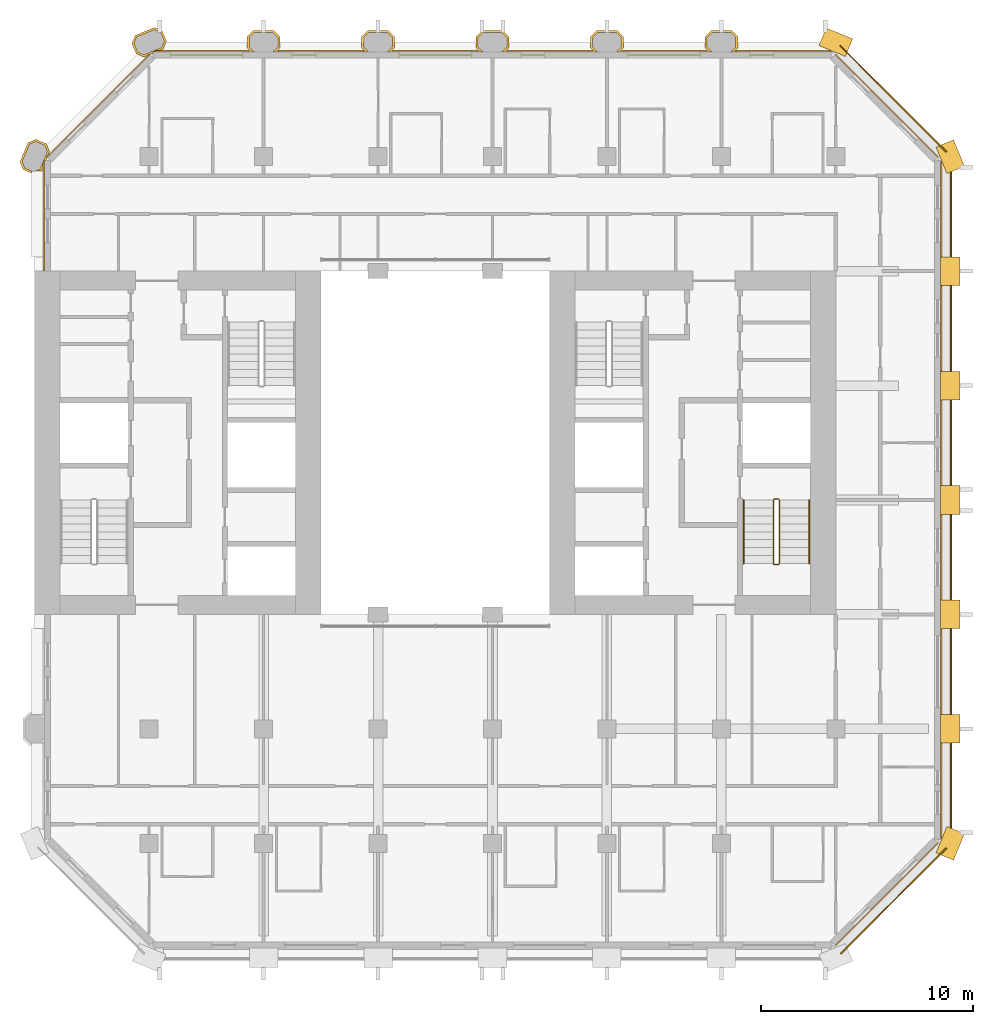
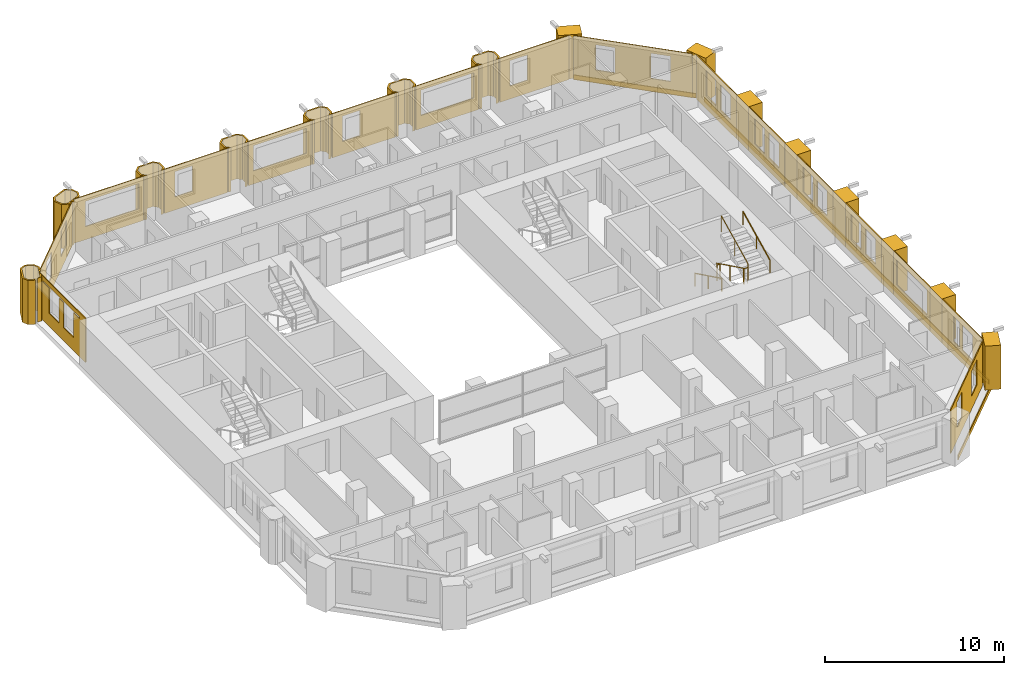
# One storey, part 13 of 13: 34 coverings, 3 railings.
"""IFC4 building model written with IfcOpenShell, lengths in metres."""

from ifc_helpers import new_model, si_unit, direction, frame, frame_2d, origin, origin_2d, place, context, subcontext, project, spatial, polyline, rectangle, circle, outline, extrude, material, layer, layer_set, type_object, element, save


model = new_model("IFC4")

# Units and contexts
model_context = context("Model", 3, precision=1e-05, world=origin(), true_north=direction((0.0, 1.0)))
body_context = subcontext(model_context, "Body", "Model", "MODEL_VIEW")
ifc_project = project(units=[si_unit("LENGTHUNIT", "METRE"), si_unit("AREAUNIT", "SQUARE_METRE"), si_unit("VOLUMEUNIT", "CUBIC_METRE"), si_unit("PLANEANGLEUNIT", "RADIAN"), si_unit("MASSUNIT", "GRAM", prefix="KILO")], contexts=[model_context])

# Site, building, storey
site_placement = place(None, origin())
site = spatial("IfcSite", under=ifc_project, at=site_placement, CompositionType="ELEMENT")
building_placement = place(site_placement, origin())
building = spatial("IfcBuilding", under=site, at=building_placement, Name="Tabaq Tower and Sports Hall", CompositionType="ELEMENT")
storey_placement = place(building_placement, frame((0.0, 0.0, 162.699951171875)))
storey = spatial("IfcBuildingStorey", under=building, at=storey_placement, Name="L38", CompositionType="ELEMENT", Elevation=162.699951171875)

# Coverings
ifc_material_1 = material(Name="Precast concrete C60/75", Category="concrete")
ifc_layer_1 = layer(ifc_material_1, 0.10009765625)
ifc_layer_set_1 = layer_set([ifc_layer_1], Name="Column cladding 100")
covering_type_1 = type_object("IfcCoveringType", Name="Column cladding 100", PredefinedType="CLADDING", material=ifc_layer_set_1)
covering_1_placement = place(storey_placement, origin())
element("IfcCovering", 1, at=covering_1_placement, inside=storey, type_object=covering_type_1, Name="Column cladding L38 PC-2H-H1", PredefinedType="CLADDING", context=body_context, shape_type="SweptSolid", body=[
    extrude(outline(polyline([(4.857421875, 37.186279296875), (4.7041015625, 37.556396484375), (5.080078125, 38.46435546875), (5.450439453125, 38.61767578125), (5.9423828125, 38.413818359375), (6.095947265625, 38.04345703125), (6.026123046875, 37.875), (5.9501953125, 37.799072265625), (5.9814453125, 37.767578125), (5.91796875, 37.614013671875), (5.849609375, 37.614013671875), (5.849609375, 37.55712890625), (5.789794921875, 37.55712890625), (5.789794921875, 37.304443359375), (5.7197265625, 37.1357421875), (5.694580078125, 37.125244140625), (5.434814453125, 37.125244140625), (5.643798828125, 37.2119140625), (5.98828125, 38.04345703125), (5.866455078125, 38.337646484375), (5.450439453125, 38.510009765625), (5.15625, 38.38818359375), (4.811767578125, 37.556396484375), (4.93359375, 37.26220703125), (5.26416015625, 37.125244140625), (5.249755859375, 37.125244140625), (5.249755859375, 37.023681640625), (4.857421875, 37.186279296875)])), origin(), (0.0, 0.0, 1.0), 3.0),
])
covering_2_placement = place(storey_placement, origin())
element("IfcCovering", 2, at=covering_2_placement, inside=storey, type_object=covering_type_1, Name="Column cladding L38 PC-3I-H1", PredefinedType="CLADDING", context=body_context, shape_type="SweptSolid", body=[
    extrude(outline(polyline([(9.982421875, 43.149658203125), (10.1357421875, 43.519775390625), (11.04345703125, 43.895751953125), (11.413818359375, 43.742431640625), (11.61767578125, 43.25048828125), (11.46435546875, 42.880126953125), (11.295654296875, 42.810302734375), (11.04296875, 42.810302734375), (11.04296875, 42.750244140625), (10.986083984375, 42.750244140625), (10.986083984375, 42.68212890625), (10.83251953125, 42.618408203125), (10.801025390625, 42.64990234375), (10.72509765625, 42.573974609375), (10.556396484375, 42.504150390625), (10.186279296875, 42.657470703125), (9.982421875, 43.149658203125)]), holes=[polyline([(11.510009765625, 43.25048828125), (11.337646484375, 43.66650390625), (11.04345703125, 43.788330078125), (10.2119140625, 43.44384765625), (10.08984375, 43.149658203125), (10.26220703125, 42.733642578125), (10.556396484375, 42.61181640625), (11.38818359375, 42.956298828125), (11.510009765625, 43.25048828125)])]), origin(), (0.0, 0.0, 1.0), 3.0),
])
covering_3_placement = place(storey_placement, origin())
element("IfcCovering", 3, at=covering_3_placement, inside=storey, type_object=covering_type_1, Name="Column cladding L38 PC-4I-H1", PredefinedType="CLADDING", context=body_context, shape_type="SweptSolid", body=[
    extrude(outline(polyline([(15.42529296875, 43.46630859375), (15.708740234375, 43.749755859375), (16.69140625, 43.749755859375), (16.974609375, 43.46630859375), (16.974609375, 42.93359375), (16.791259765625, 42.750244140625), (16.650634765625, 42.750244140625), (16.875244140625, 42.974853515625), (16.875244140625, 43.425048828125), (16.650146484375, 43.650390625), (15.749755859375, 43.650390625), (15.524658203125, 43.425048828125), (15.524658203125, 42.974853515625), (15.749267578125, 42.750244140625), (15.608642578125, 42.750244140625), (15.42529296875, 42.93359375), (15.42529296875, 43.46630859375)])), origin(), (0.0, 0.0, 1.0), 3.0),
])
covering_4_placement = place(storey_placement, origin())
element("IfcCovering", 4, at=covering_4_placement, inside=storey, type_object=covering_type_1, Name="Column cladding L38 PC-5I-H1", PredefinedType="CLADDING", context=body_context, shape_type="SweptSolid", body=[
    extrude(outline(polyline([(20.8251953125, 43.46630859375), (21.108642578125, 43.749755859375), (22.09130859375, 43.749755859375), (22.374755859375, 43.46630859375), (22.374755859375, 42.93359375), (22.19140625, 42.750244140625), (22.05078125, 42.750244140625), (22.275390625, 42.974853515625), (22.275390625, 43.425048828125), (22.050048828125, 43.650390625), (21.14990234375, 43.650390625), (20.9248046875, 43.425048828125), (20.9248046875, 42.974853515625), (21.149169921875, 42.750244140625), (21.0087890625, 42.750244140625), (20.8251953125, 42.93359375), (20.8251953125, 43.46630859375)])), origin(), (0.0, 0.0, 1.0), 3.0),
])
covering_5_placement = place(storey_placement, origin())
element("IfcCovering", 5, at=covering_5_placement, inside=storey, type_object=covering_type_1, Name="Column cladding L38 PC-6I-H1", PredefinedType="CLADDING", context=body_context, shape_type="SweptSolid", body=[
    extrude(outline(polyline([(26.225341796875, 43.46630859375), (26.5087890625, 43.749755859375), (27.4912109375, 43.749755859375), (27.774658203125, 43.46630859375), (27.774658203125, 42.93359375), (27.59130859375, 42.750244140625), (27.45068359375, 42.750244140625), (27.67529296875, 42.974853515625), (27.67529296875, 43.425048828125), (27.4501953125, 43.650390625), (26.5498046875, 43.650390625), (26.32470703125, 43.425048828125), (26.32470703125, 42.974853515625), (26.54931640625, 42.750244140625), (26.40869140625, 42.750244140625), (26.225341796875, 42.93359375), (26.225341796875, 43.46630859375)])), origin(), (0.0, 0.0, 1.0), 3.0),
])
covering_6_placement = place(storey_placement, origin())
element("IfcCovering", 6, at=covering_6_placement, inside=storey, type_object=covering_type_1, Name="Column cladding L38 PC-7I-H1", PredefinedType="CLADDING", context=body_context, shape_type="SweptSolid", body=[
    extrude(outline(polyline([(31.625244140625, 43.46630859375), (31.90869140625, 43.749755859375), (32.891357421875, 43.749755859375), (33.1748046875, 43.46630859375), (33.1748046875, 42.93359375), (32.9912109375, 42.750244140625), (32.850830078125, 42.750244140625), (33.0751953125, 42.974853515625), (33.0751953125, 43.425048828125), (32.85009765625, 43.650390625), (31.949951171875, 43.650390625), (31.724609375, 43.425048828125), (31.724609375, 42.974853515625), (31.94921875, 42.750244140625), (31.80859375, 42.750244140625), (31.625244140625, 42.93359375), (31.625244140625, 43.46630859375)])), origin(), (0.0, 0.0, 1.0), 3.0),
])
covering_7_placement = place(storey_placement, origin())
element("IfcCovering", 7, at=covering_7_placement, inside=storey, type_object=covering_type_1, Name="Column cladding L38 PC-8I-H1", PredefinedType="CLADDING", context=body_context, shape_type="SweptSolid", body=[
    extrude(outline(polyline([(37.025390625, 43.46630859375), (37.30859375, 43.749755859375), (38.291259765625, 43.749755859375), (38.57470703125, 43.46630859375), (38.57470703125, 42.93359375), (38.391357421875, 42.750244140625), (38.250732421875, 42.750244140625), (38.475341796875, 42.974853515625), (38.475341796875, 43.425048828125), (38.250244140625, 43.650390625), (37.349853515625, 43.650390625), (37.124755859375, 43.425048828125), (37.124755859375, 42.974853515625), (37.349365234375, 42.750244140625), (37.208740234375, 42.750244140625), (37.025390625, 42.93359375), (37.025390625, 43.46630859375)])), origin(), (0.0, 0.0, 1.0), 3.0),
])
ifc_material_2 = material(Name="Precast concrete C60/75", Category="concrete")
ifc_layer_2 = layer(ifc_material_2, 0.06005859375)
ifc_layer_set_2 = layer_set([ifc_layer_2], Name="Edge beam cladding 60")
covering_type_2 = type_object("IfcCoveringType", Name="Edge beam cladding 60", PredefinedType="CLADDING", material=ifc_layer_set_2)
covering_8_placement = place(storey_placement, frame((43.432373046875, 0.18994140625, -0.300048828125), z_axis=(0.0, 0.0, 1.0), x_axis=(0.707106781187, 0.707106781187, 0.0)))
element("IfcCovering", 8, at=covering_8_placement, inside=storey, type_object=covering_type_2, Name="Edge beam cladding L38 2", PredefinedType="CLADDING", context=body_context, shape_type="SweptSolid", body=[
    extrude(rectangle(XDim=7.03955078125, YDim=0.06005859375, at=frame_2d((3.519775390625, 0.0))), origin(), (0.0, 0.0, 1.0), 0.300048828125),
])
covering_9_placement = place(storey_placement, frame((48.6298828125, 5.698486328125, -0.300048828125), z_axis=(0.0, 0.0, 1.0), x_axis=(0.0, 1.0, 0.0)))
element("IfcCovering", 9, at=covering_9_placement, inside=storey, type_object=covering_type_2, Name="Edge beam cladding L38 3", PredefinedType="CLADDING", context=body_context, shape_type="SweptSolid", body=[
    extrude(rectangle(XDim=31.802978515625, YDim=0.06005859375, at=frame_2d((15.9013671875, 0.0))), origin(), (0.0, 0.0, 1.0), 0.300048828125),
])
covering_10_placement = place(storey_placement, frame((48.41015625, 38.0322265625, -0.300048828125), z_axis=(0.0, 0.0, 1.0), x_axis=(-0.707106781187, 0.707106781187, 0.0)))
element("IfcCovering", 10, at=covering_10_placement, inside=storey, type_object=covering_type_2, Name="Edge beam cladding L38 4", PredefinedType="CLADDING", context=body_context, shape_type="SweptSolid", body=[
    extrude(rectangle(XDim=7.08837890625, YDim=0.06005859375, at=frame_2d((3.544189453125, 0.0))), origin(), (0.0, 0.0, 1.0), 0.300048828125),
])
ifc_material_3 = material(Name="White precast concrete C60/75", Category="concrete")
covering_type_3 = type_object("IfcCoveringType", Name="Pier cladding hung 1350x900", PredefinedType="CLADDING", material=ifc_material_3)
for number, where, z_axis, x_axis, name in (
    (11, (43.82373046875, 42.941650390625, 0.0), (0.0, 0.0, 1.0), (-0.923893411637, 0.382649923473, 0.0), "Hung pier cladding 8/8"),
    (12, (48.341796875, 4.7763671875, 0.0), (0.0, 0.0, 1.0), (0.382649923473, 0.923893411637, 0.0), "Hung pier cladding 9/1"),
    (13, (48.60009765625, 10.125, 0.0), (0.0, 0.0, 1.0), (0.0, 1.0, 0.0), "Hung pier cladding 9/2"),
    (14, (48.60009765625, 15.52490234375, 0.0), (0.0, 0.0, 1.0), (0.0, 1.0, 0.0), "Hung pier cladding 9/3"),
):
    element("IfcCovering", number, at=place(storey_placement, frame(where, z_axis=z_axis, x_axis=x_axis)), inside=storey, type_object=covering_type_3, Name=name, PredefinedType="CLADDING", context=body_context, shape_type="SweptSolid", body=[
        extrude(rectangle(XDim=1.35009765625, YDim=0.89990234375, at=frame_2d((0.675048828125, 0.0))), origin(), (0.0, 0.0, 1.0), 3.0),
    ])
covering_11_placement = place(storey_placement, frame((48.60009765625, 20.925048828125, 0.0), z_axis=(0.0, 0.0, 1.0), x_axis=(0.0, 1.0, 0.0)))
element("IfcCovering", 15, at=covering_11_placement, inside=storey, type_object=covering_type_3, Name="Hung pier cladding 9/4", PredefinedType="CLADDING", context=body_context, shape_type="SweptSolid", body=[
    extrude(rectangle(XDim=1.349853515625, YDim=0.89990234375, at=frame_2d((0.6748046875, 0.0))), origin(), (0.0, 0.0, 1.0), 3.0),
])
covering_12_placement = place(storey_placement, frame((48.60009765625, 26.324951171875, 0.0), z_axis=(0.0, 0.0, 1.0), x_axis=(0.0, 1.0, 0.0)))
element("IfcCovering", 16, at=covering_12_placement, inside=storey, type_object=covering_type_3, Name="Hung pier cladding 9/5", PredefinedType="CLADDING", context=body_context, shape_type="SweptSolid", body=[
    extrude(rectangle(XDim=1.35009765625, YDim=0.89990234375, at=frame_2d((0.675048828125, 0.0))), origin(), (0.0, 0.0, 1.0), 3.0),
])
covering_13_placement = place(storey_placement, frame((48.60009765625, 31.72509765625, 0.0), z_axis=(0.0, 0.0, 1.0), x_axis=(0.0, 1.0, 0.0)))
element("IfcCovering", 17, at=covering_13_placement, inside=storey, type_object=covering_type_3, Name="Hung pier cladding 9/6", PredefinedType="CLADDING", context=body_context, shape_type="SweptSolid", body=[
    extrude(rectangle(XDim=1.349853515625, YDim=0.89990234375, at=frame_2d((0.6748046875, 0.0))), origin(), (0.0, 0.0, 1.0), 3.0),
])
covering_14_placement = place(storey_placement, frame((48.8583984375, 37.17626953125, 0.0), z_axis=(0.0, 0.0, 1.0), x_axis=(-0.382649923473, 0.923893411637, 0.0)))
element("IfcCovering", 18, at=covering_14_placement, inside=storey, type_object=covering_type_3, Name="Hung pier cladding 9/7", PredefinedType="CLADDING", context=body_context, shape_type="SweptSolid", body=[
    extrude(rectangle(XDim=1.35009765625, YDim=0.89990234375, at=frame_2d((0.675048828125, 0.0))), origin(), (0.0, 0.0, 1.0), 3.0),
])

# Railings
ifc_material_4 = material(Name="Stainless steel", Category="steel")
railing_type_1 = type_object("IfcRailingType", Name="Stair guard", PredefinedType="GUARDRAIL", material=ifc_material_4)
railing_1_placement = place(storey_placement, frame((40.5, 21.64990234375, 0.0)))
element("IfcRailing", 19, at=railing_1_placement, inside=storey, type_object=railing_type_1, Name="L38 ST3 stair guard 1", PredefinedType="GUARDRAIL", context=body_context, shape_type="SweptSolid", body=[
    extrude(circle(Radius=0.02392578125, at=origin_2d()), frame((0.0, 0.0, 1.076171875), z_axis=(-1.0, 0.0, 0.0), x_axis=(0.0, -1.0, 0.0)), (0.0, 0.0, 1.0), 0.199951171875),
    extrude(circle(Radius=0.02392578125, at=origin_2d()), frame((-0.199951171875, 0.0, 1.076171875), z_axis=(-0.254733673405, -0.25349107012, 0.933195066962), x_axis=(0.705375805398, -0.708833529934, 0.0)), (0.0, 0.0, 1.0), 0.196533203125),
    extrude(circle(Radius=0.02392578125, at=origin_2d()), frame((-0.25, -0.0498046875, 1.25927734375), z_axis=(0.0, -0.898368975038, 0.439241601728), x_axis=(1.0, 0.0, 0.0)), (0.0, 0.0, 1.0), 3.33935546875),
    extrude(circle(Radius=0.02392578125, at=origin_2d()), frame((-0.25, -3.0498046875, 2.72607421875), z_axis=(0.707106781187, -0.707106781187, 0.0), x_axis=(0.707106781187, 0.707106781187, 0.0)), (0.0, 0.0, 1.0), 0.07080078125),
    extrude(circle(Radius=0.02392578125, at=origin_2d()), frame((-0.199951171875, -3.099853515625, 2.72607421875), z_axis=(1.0, 0.0, 0.0), x_axis=(0.0, 1.0, 0.0)), (0.0, 0.0, 1.0), 0.199951171875),
    extrude(circle(Radius=0.02392578125, at=origin_2d()), frame((0.0, -3.099853515625, 2.72607421875), z_axis=(0.254653276557, 0.254653276557, 0.932900539971), x_axis=(-0.707106781187, 0.707106781187, 0.0)), (0.0, 0.0, 1.0), 0.196533203125),
    extrude(circle(Radius=0.02392578125, at=origin_2d()), frame((0.050048828125, -3.0498046875, 2.90966796875), z_axis=(0.0, 0.898397823093, 0.439182594671), x_axis=(-1.0, 0.0, 0.0)), (0.0, 0.0, 1.0), 3.33935546875),
    extrude(circle(Radius=0.02099609375, at=origin_2d()), origin(), (0.0, 0.0, 1.0), 1.052001953125),
    extrude(circle(Radius=0.02099609375, at=origin_2d()), frame((-0.199951171875, 0.0, 0.0)), (0.0, 0.0, 1.0), 1.052001953125),
    extrude(circle(Radius=0.02099609375, at=origin_2d()), frame((-0.25, -0.0498046875, 0.183349609375)), (0.0, 0.0, 1.0), 1.052001953125),
    extrude(circle(Radius=0.02099609375, at=origin_2d()), frame((-0.25, -1.5498046875, 0.916748046875)), (0.0, 0.0, 1.0), 1.052001953125),
    extrude(circle(Radius=0.02099609375, at=origin_2d()), frame((-0.25, -3.0498046875, 1.650146484375)), (0.0, 0.0, 1.0), 1.052001953125),
    extrude(circle(Radius=0.02099609375, at=origin_2d()), frame((-0.199951171875, -3.099853515625, 1.650146484375)), (0.0, 0.0, 1.0), 1.052001953125),
    extrude(circle(Radius=0.02099609375, at=origin_2d()), frame((0.0, -3.099853515625, 1.650146484375)), (0.0, 0.0, 1.0), 1.052001953125),
    extrude(circle(Radius=0.02099609375, at=origin_2d()), frame((0.050048828125, -3.0498046875, 1.83349609375)), (0.0, 0.0, 1.0), 1.052001953125),
    extrude(circle(Radius=0.02099609375, at=origin_2d()), frame((0.050048828125, -1.5498046875, 2.56689453125)), (0.0, 0.0, 1.0), 1.052001953125),
    extrude(circle(Radius=0.02099609375, at=origin_2d()), frame((0.050048828125, -0.0498046875, 3.300048828125)), (0.0, 0.0, 1.0), 1.052001953125),
])
ifc_material_5 = material(Name="Stainless steel", Category="steel")
railing_type_2 = type_object("IfcRailingType", Name="Stair handrail", PredefinedType="HANDRAIL", material=ifc_material_5)
railing_2_placement = place(storey_placement, frame((38.85009765625, 21.60009765625, 0.183349609375)))
element("IfcRailing", 20, at=railing_2_placement, inside=storey, type_object=railing_type_2, Name="L38 ST3 stair handrail 1", PredefinedType="HANDRAIL", context=body_context, shape_type="SweptSolid", body=[
    extrude(circle(Radius=0.02392578125, at=origin_2d()), frame((0.0, 0.0, 0.8759765625), z_axis=(0.0, -0.898368975038, 0.439241601728), x_axis=(1.0, 0.0, 0.0)), (0.0, 0.0, 1.0), 3.33935546875),
    extrude(circle(Radius=0.02099609375, at=origin_2d()), origin(), (0.0, 0.0, 1.0), 0.851806640625),
    extrude(circle(Radius=0.02099609375, at=origin_2d()), frame((0.0, -1.5, 0.7333984375)), (0.0, 0.0, 1.0), 0.851806640625),
    extrude(circle(Radius=0.02099609375, at=origin_2d()), frame((0.0, -3.0, 1.466796875)), (0.0, 0.0, 1.0), 0.851806640625),
])
railing_3_placement = place(storey_placement, frame((41.949951171875, 18.60009765625, 1.83349609375)))
element("IfcRailing", 21, at=railing_3_placement, inside=storey, type_object=railing_type_2, Name="L38 ST3 stair handrail 2", PredefinedType="HANDRAIL", context=body_context, shape_type="SweptSolid", body=[
    extrude(circle(Radius=0.02392578125, at=origin_2d()), frame((0.0, 0.0, 0.8759765625), z_axis=(0.0, 0.898397823093, 0.439182594671), x_axis=(-1.0, 0.0, 0.0)), (0.0, 0.0, 1.0), 3.33935546875),
    extrude(circle(Radius=0.02099609375, at=origin_2d()), origin(), (0.0, 0.0, 1.0), 0.851806640625),
    extrude(circle(Radius=0.02099609375, at=origin_2d()), frame((0.0, 1.5, 0.7333984375)), (0.0, 0.0, 1.0), 0.851806640625),
    extrude(circle(Radius=0.02099609375, at=origin_2d()), frame((0.0, 3.0, 1.466552734375)), (0.0, 0.0, 1.0), 0.851806640625),
])

# Coverings
ifc_material_6 = material(Name="Precast concrete C60/75", Category="concrete")
ifc_layer_3 = layer(ifc_material_6, 0.06005859375)
ifc_layer_set_3 = layer_set([ifc_layer_3], Name="White precast cladding panel 60 C60/75")
covering_type_4 = type_object("IfcCoveringType", Name="White precast cladding panel 60 C60/75", PredefinedType="CLADDING", material=ifc_layer_set_3)
covering_15_placement = place(storey_placement, frame((43.177734375, 0.57177734375, 0.0), z_axis=(0.0, 0.0, 1.0), x_axis=(0.707106781187, 0.707106781187, 0.0)))
element("IfcCovering", 22, at=covering_15_placement, inside=storey, type_object=covering_type_4, Name="White precast cladding panel L38 wall01", PredefinedType="CLADDING", context=body_context, shape_type="SweptSolid", body=[
    extrude(outline(polyline([(0.0, 0.0), (6.85986328125, 0.0), (6.85986328125, 3.0), (0.0, 3.0), (0.0, 0.0)]), holes=[polyline([(1.269775390625, 2.610107421875), (2.389892578125, 2.610107421875), (2.389892578125, 0.89013671875), (1.269775390625, 0.89013671875), (1.269775390625, 2.610107421875)]), polyline([(4.4697265625, 2.610107421875), (5.58984375, 2.610107421875), (5.58984375, 0.89013671875), (4.4697265625, 0.89013671875), (4.4697265625, 2.610107421875)])]), frame((0.0, 0.030029296875, 0.0), z_axis=(0.0, -1.0, 0.0), x_axis=(1.0, 0.0, 0.0)), (0.0, 0.0, 1.0), 0.06005859375),
])
covering_16_placement = place(storey_placement, frame((48.179931640625, 5.64306640625, 0.0), z_axis=(0.0, 0.0, 1.0), x_axis=(0.0, 1.0, 0.0)))
element("IfcCovering", 23, at=covering_16_placement, inside=storey, type_object=covering_type_4, Name="White precast cladding panel L38 wall02", PredefinedType="CLADDING", context=body_context, shape_type="SweptSolid", body=[
    extrude(outline(polyline([(0.0, 0.0), (4.471923828125, 0.0), (4.471923828125, 3.0), (0.0, 3.0), (0.0, 0.0)]), holes=[polyline([(1.096923828125, 2.610107421875), (2.216796875, 2.610107421875), (2.216796875, 0.89013671875), (1.096923828125, 0.89013671875), (1.096923828125, 2.610107421875)]), polyline([(2.521728515625, 2.610107421875), (3.19189453125, 2.610107421875), (3.19189453125, 0.89013671875), (2.521728515625, 0.89013671875), (2.521728515625, 2.610107421875)])]), frame((0.0, 0.030029296875, 0.0), z_axis=(0.0, -1.0, 0.0), x_axis=(1.0, 0.0, 0.0)), (0.0, 0.0, 1.0), 0.06005859375),
])
covering_17_placement = place(storey_placement, frame((48.179931640625, 11.485107421875, 0.0), z_axis=(0.0, 0.0, 1.0), x_axis=(0.0, 1.0, 0.0)))
element("IfcCovering", 24, at=covering_17_placement, inside=storey, type_object=covering_type_4, Name="White precast cladding panel L38 wall02 2", PredefinedType="CLADDING", context=body_context, shape_type="SweptSolid", body=[
    extrude(outline(polyline([(0.0, 0.0), (4.02978515625, 0.0), (4.02978515625, 3.0), (0.0, 3.0), (0.0, 0.0)]), holes=[polyline([(0.304931640625, 0.89013671875), (0.304931640625, 2.610107421875), (3.72509765625, 2.610107421875), (3.72509765625, 0.89013671875), (0.304931640625, 0.89013671875)])]), frame((0.0, 0.030029296875, 0.0), z_axis=(0.0, -1.0, 0.0), x_axis=(1.0, 0.0, 0.0)), (0.0, 0.0, 1.0), 0.06005859375),
])
for number, where, z_axis, x_axis, name in (
    (25, (48.179931640625, 16.885009765625, 0.0), (0.0, 0.0, 1.0), (0.0, 1.0, 0.0), "White precast cladding panel L38 wall02 3"),
    (26, (48.179931640625, 22.284912109375, 0.0), (0.0, 0.0, 1.0), (0.0, 1.0, 0.0), "White precast cladding panel L38 wall02 4"),
    (27, (48.179931640625, 27.68505859375, 0.0), (0.0, 0.0, 1.0), (0.0, 1.0, 0.0), "White precast cladding panel L38 wall02 5"),
):
    element("IfcCovering", number, at=place(storey_placement, frame(where, z_axis=z_axis, x_axis=x_axis)), inside=storey, type_object=covering_type_4, Name=name, PredefinedType="CLADDING", context=body_context, shape_type="SweptSolid", body=[
        extrude(outline(polyline([(0.0, 0.0), (4.030029296875, 0.0), (4.030029296875, 3.0), (0.0, 3.0), (0.0, 0.0)]), holes=[polyline([(0.655029296875, 2.610107421875), (1.77490234375, 2.610107421875), (1.77490234375, 0.89013671875), (0.655029296875, 0.89013671875), (0.655029296875, 2.610107421875)]), polyline([(2.2548828125, 2.610107421875), (3.375, 2.610107421875), (3.375, 0.89013671875), (2.2548828125, 0.89013671875), (2.2548828125, 2.610107421875)])]), frame((0.0, 0.030029296875, 0.0), z_axis=(0.0, -1.0, 0.0), x_axis=(1.0, 0.0, 0.0)), (0.0, 0.0, 1.0), 0.06005859375),
    ])
covering_18_placement = place(storey_placement, frame((48.179931640625, 33.0849609375, 0.0), z_axis=(0.0, 0.0, 1.0), x_axis=(0.0, 1.0, 0.0)))
element("IfcCovering", 28, at=covering_18_placement, inside=storey, type_object=covering_type_4, Name="White precast cladding panel L38 wall02 6", PredefinedType="CLADDING", context=body_context, shape_type="SweptSolid", body=[
    extrude(outline(polyline([(0.0, 0.0), (4.471923828125, 0.0), (4.471923828125, 3.0), (0.0, 3.0), (0.0, 0.0)]), holes=[polyline([(0.655029296875, 2.610107421875), (1.77490234375, 2.610107421875), (1.77490234375, 0.89013671875), (0.655029296875, 0.89013671875), (0.655029296875, 2.610107421875)]), polyline([(2.2548828125, 2.610107421875), (3.375, 2.610107421875), (3.375, 0.89013671875), (2.2548828125, 0.89013671875), (2.2548828125, 2.610107421875)])]), frame((0.0, 0.030029296875, 0.0), z_axis=(0.0, -1.0, 0.0), x_axis=(1.0, 0.0, 0.0)), (0.0, 0.0, 1.0), 0.06005859375),
])
covering_19_placement = place(storey_placement, frame((48.0283203125, 37.77783203125, 0.0), z_axis=(0.0, 0.0, 1.0), x_axis=(-0.707124576528, 0.707088985397, 0.0)))
element("IfcCovering", 29, at=covering_19_placement, inside=storey, type_object=covering_type_4, Name="White precast cladding panel L38 wall03", PredefinedType="CLADDING", context=body_context, shape_type="SweptSolid", body=[
    extrude(outline(polyline([(0.0, 0.0), (6.859619140625, 0.0), (6.859619140625, 3.0), (0.0, 3.0), (0.0, 0.0)]), holes=[polyline([(1.269775390625, 2.610107421875), (2.389892578125, 2.610107421875), (2.389892578125, 0.89013671875), (1.269775390625, 0.89013671875), (1.269775390625, 2.610107421875)]), polyline([(4.4697265625, 2.610107421875), (5.58984375, 2.610107421875), (5.58984375, 0.89013671875), (4.4697265625, 0.89013671875), (4.4697265625, 2.610107421875)])]), frame((0.0, 0.030029296875, 0.0), z_axis=(0.0, -1.0, 0.0), x_axis=(1.0, 0.0, 0.0)), (0.0, 0.0, 1.0), 0.06005859375),
])
covering_20_placement = place(storey_placement, frame((42.956787109375, 42.780029296875, 0.0), z_axis=(0.0, 0.0, 1.0), x_axis=(-1.0, 0.0, 0.0)))
element("IfcCovering", 30, at=covering_20_placement, inside=storey, type_object=covering_type_4, Name="White precast cladding panel L38 wall04", PredefinedType="CLADDING", context=body_context, shape_type="SweptSolid", body=[
    extrude(outline(polyline([(0.0, 0.0), (4.4716796875, 0.0), (4.4716796875, 3.0), (0.0, 3.0), (0.0, 0.0)]), holes=[polyline([(2.69677734375, 0.89013671875), (2.69677734375, 2.610107421875), (3.81689453125, 2.610107421875), (3.81689453125, 0.89013671875), (2.69677734375, 0.89013671875)])]), frame((0.0, 0.030029296875, 0.0), z_axis=(0.0, -1.0, 0.0), x_axis=(1.0, 0.0, 0.0)), (0.0, 0.0, 1.0), 0.06005859375),
])
covering_21_placement = place(storey_placement, frame((37.114990234375, 42.780029296875, 0.0), z_axis=(0.0, 0.0, 1.0), x_axis=(-1.0, 0.0, 0.0)))
element("IfcCovering", 31, at=covering_21_placement, inside=storey, type_object=covering_type_4, Name="White precast cladding panel L38 wall04 2", PredefinedType="CLADDING", context=body_context, shape_type="SweptSolid", body=[
    extrude(outline(polyline([(0.0, 0.0), (4.030029296875, 0.0), (4.030029296875, 3.0), (0.0, 3.0), (0.0, 0.0)]), holes=[polyline([(0.304931640625, 0.89013671875), (0.304931640625, 2.610107421875), (3.72509765625, 2.610107421875), (3.72509765625, 0.89013671875), (0.304931640625, 0.89013671875)])]), frame((0.0, 0.030029296875, 0.0), z_axis=(0.0, -1.0, 0.0), x_axis=(1.0, 0.0, 0.0)), (0.0, 0.0, 1.0), 0.06005859375),
])
covering_22_placement = place(storey_placement, frame((31.715087890625, 42.780029296875, 0.0), z_axis=(0.0, 0.0, 1.0), x_axis=(-1.0, 0.0, 0.0)))
element("IfcCovering", 32, at=covering_22_placement, inside=storey, type_object=covering_type_4, Name="White precast cladding panel L38 wall04 3", PredefinedType="CLADDING", context=body_context, shape_type="SweptSolid", body=[
    extrude(outline(polyline([(0.0, 0.0), (4.030029296875, 0.0), (4.030029296875, 3.0), (0.0, 3.0), (0.0, 0.0)]), holes=[polyline([(2.2548828125, 0.89013671875), (2.2548828125, 2.610107421875), (3.375, 2.610107421875), (3.375, 0.89013671875), (2.2548828125, 0.89013671875)])]), frame((0.0, 0.030029296875, 0.0), z_axis=(0.0, -1.0, 0.0), x_axis=(1.0, 0.0, 0.0)), (0.0, 0.0, 1.0), 0.06005859375),
])
covering_23_placement = place(storey_placement, frame((26.31494140625, 42.780029296875, 0.0), z_axis=(0.0, 0.0, 1.0), x_axis=(-1.0, 0.0, 0.0)))
element("IfcCovering", 33, at=covering_23_placement, inside=storey, type_object=covering_type_4, Name="White precast cladding panel L38 wall04 4", PredefinedType="CLADDING", context=body_context, shape_type="SweptSolid", body=[
    extrude(outline(polyline([(0.0, 0.0), (4.030029296875, 0.0), (4.030029296875, 3.0), (0.0, 3.0), (0.0, 0.0)]), holes=[polyline([(0.304931640625, 0.89013671875), (0.304931640625, 2.610107421875), (3.72509765625, 2.610107421875), (3.72509765625, 0.89013671875), (0.304931640625, 0.89013671875)])]), frame((0.0, 0.030029296875, 0.0), z_axis=(0.0, -1.0, 0.0), x_axis=(1.0, 0.0, 0.0)), (0.0, 0.0, 1.0), 0.06005859375),
])
covering_24_placement = place(storey_placement, frame((20.9150390625, 42.780029296875, 0.0), z_axis=(0.0, 0.0, 1.0), x_axis=(-1.0, 0.0, 0.0)))
element("IfcCovering", 34, at=covering_24_placement, inside=storey, type_object=covering_type_4, Name="White precast cladding panel L38 wall04 5", PredefinedType="CLADDING", context=body_context, shape_type="SweptSolid", body=[
    extrude(outline(polyline([(0.0, 0.0), (4.030029296875, 0.0), (4.030029296875, 3.0), (0.0, 3.0), (0.0, 0.0)]), holes=[polyline([(2.2548828125, 0.89013671875), (2.2548828125, 2.610107421875), (3.375, 2.610107421875), (3.375, 0.89013671875), (2.2548828125, 0.89013671875)])]), frame((0.0, 0.030029296875, 0.0), z_axis=(0.0, -1.0, 0.0), x_axis=(1.0, 0.0, 0.0)), (0.0, 0.0, 1.0), 0.06005859375),
])
covering_25_placement = place(storey_placement, frame((15.514892578125, 42.780029296875, 0.0), z_axis=(0.0, 0.0, 1.0), x_axis=(-1.0, 0.0, 0.0)))
element("IfcCovering", 35, at=covering_25_placement, inside=storey, type_object=covering_type_4, Name="White precast cladding panel L38 wall04 6", PredefinedType="CLADDING", context=body_context, shape_type="SweptSolid", body=[
    extrude(outline(polyline([(0.0, 0.0), (4.4716796875, 0.0), (4.4716796875, 3.0), (0.0, 3.0), (0.0, 0.0)]), holes=[polyline([(0.304931640625, 0.89013671875), (0.304931640625, 2.610107421875), (3.72509765625, 2.610107421875), (3.72509765625, 0.89013671875), (0.304931640625, 0.89013671875)])]), frame((0.0, 0.030029296875, 0.0), z_axis=(0.0, -1.0, 0.0), x_axis=(1.0, 0.0, 0.0)), (0.0, 0.0, 1.0), 0.06005859375),
])
covering_26_placement = place(storey_placement, frame((10.822265625, 42.628173828125, 0.0), z_axis=(0.0, 0.0, 1.0), x_axis=(-0.707124576528, -0.707088985397, 0.0)))
element("IfcCovering", 36, at=covering_26_placement, inside=storey, type_object=covering_type_4, Name="White precast cladding panel L38 wall05", PredefinedType="CLADDING", context=body_context, shape_type="SweptSolid", body=[
    extrude(outline(polyline([(0.0, 0.0), (6.859619140625, 0.0), (6.859619140625, 3.0), (0.0, 3.0), (0.0, 0.0)]), holes=[polyline([(1.269775390625, 2.610107421875), (2.389892578125, 2.610107421875), (2.389892578125, 0.89013671875), (1.269775390625, 0.89013671875), (1.269775390625, 2.610107421875)]), polyline([(4.4697265625, 2.610107421875), (5.58984375, 2.610107421875), (5.58984375, 0.89013671875), (4.4697265625, 0.89013671875), (4.4697265625, 2.610107421875)])]), frame((0.0, 0.030029296875, 0.0), z_axis=(0.0, -1.0, 0.0), x_axis=(1.0, 0.0, 0.0)), (0.0, 0.0, 1.0), 0.06005859375),
])
covering_27_placement = place(storey_placement, frame((5.820068359375, 37.556884765625, 0.0), z_axis=(0.0, 0.0, 1.0), x_axis=(0.0, -1.0, 0.0)))
element("IfcCovering", 37, at=covering_27_placement, inside=storey, type_object=covering_type_4, Name="White precast cladding panel L38 wall06", PredefinedType="CLADDING", context=body_context, shape_type="SweptSolid", body=[
    extrude(outline(polyline([(0.0, 0.0), (5.156982421875, 0.0), (5.156982421875, 3.0), (0.0, 3.0), (0.0, 0.0)]), holes=[polyline([(1.096923828125, 2.590087890625), (0.421875, 2.590087890625), (0.421875, 2.7099609375), (4.491943359375, 2.7099609375), (4.491943359375, 2.590087890625), (3.81689453125, 2.590087890625), (3.81689453125, 0.89013671875), (2.69677734375, 0.89013671875), (2.69677734375, 2.590087890625), (2.216796875, 2.590087890625), (2.216796875, 0.89013671875), (1.096923828125, 0.89013671875), (1.096923828125, 2.590087890625)])]), frame((0.0, 0.030029296875, 0.0), z_axis=(0.0, -1.0, 0.0), x_axis=(1.0, 0.0, 0.0)), (0.0, 0.0, 1.0), 0.06005859375),
])

save(model, "model.ifc")
